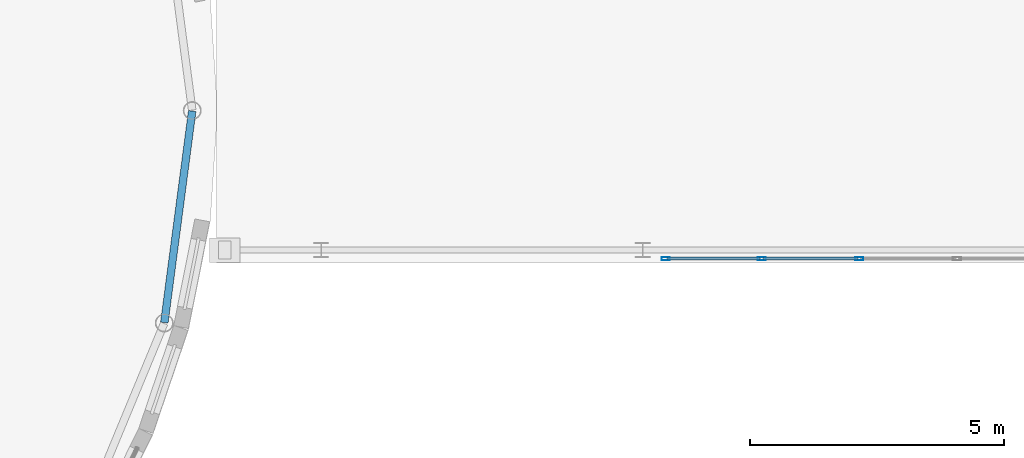
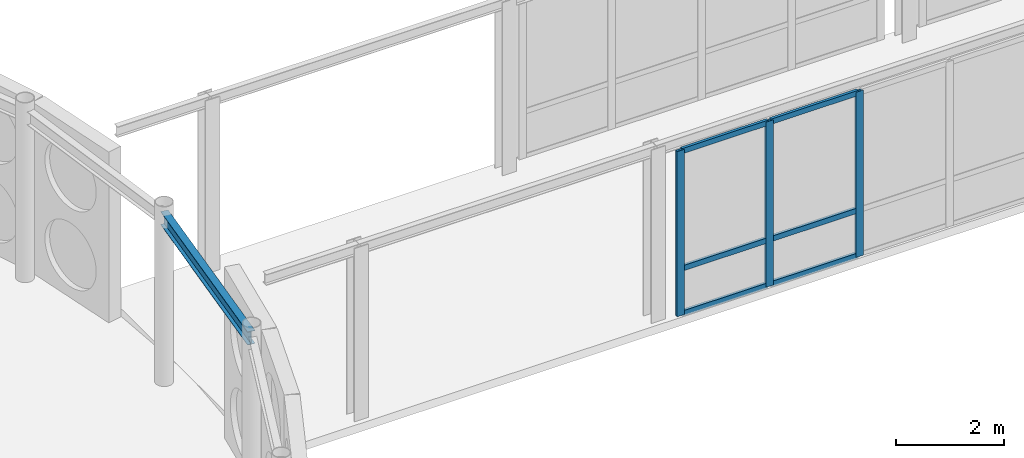
# One storey, part 52 of 165: 9 members, 1 beam, 1 element without a shape of its own.
"""IFC4 building model written with IfcOpenShell, lengths in metres."""

from ifc_helpers import new_model, si_unit, direction, frame, origin, origin_2d, place, context, subcontext, project, spatial, hollow_rectangle, i_section, extrude, material, layer, layer_set, material_profile, profile_set, type_object, element, aggregate, save


model = new_model("IFC4")

# Units and contexts
model_context = context("Model", 3, precision=1e-05, world=origin(), true_north=direction((0.0, 1.0)))
body_context = subcontext(model_context, "Body", "Model", "MODEL_VIEW")
ifc_project = project(units=[si_unit("LENGTHUNIT", "METRE"), si_unit("AREAUNIT", "SQUARE_METRE"), si_unit("VOLUMEUNIT", "CUBIC_METRE"), si_unit("PLANEANGLEUNIT", "RADIAN"), si_unit("MASSUNIT", "GRAM", prefix="KILO")], contexts=[model_context])

# Site, building, storey
site_placement = place(None, origin())
site = spatial("IfcSite", under=ifc_project, at=site_placement, CompositionType="ELEMENT")
building_placement = place(site_placement, origin())
building = spatial("IfcBuilding", under=site, at=building_placement, Name="Montecoro Central Library", CompositionType="ELEMENT")
storey_placement = place(building_placement, frame((0.0, 0.0, 5.10009765625)))
storey = spatial("IfcBuildingStorey", under=building, at=storey_placement, Name="L01", CompositionType="ELEMENT", Elevation=5.10009765625)

# Beam
ifc_material_1 = material(Name="Steel S355", Category="steel")
ifc_material_profile_1 = material_profile(ifc_material_1, i_section(OverallWidth=0.14990234375, OverallDepth=0.300048828125, WebThickness=0.007080078125, FlangeThickness=0.0107421875, at=origin_2d()), Name="IPE 300")
ifc_profile_set_1 = profile_set([ifc_material_profile_1], Name="Steel S355")
beam_type = type_object("IfcBeamType", Name="BM-SP-IPE300", PredefinedType="SPANDREL", material=ifc_profile_set_1)
beam_placement = place(storey_placement, frame((107.22998046875, 31.221923828125, 3.704833984375), z_axis=(0.130607740177, 0.99143412197, 0.0), x_axis=(-0.99143412197, 0.130607740177, 0.0)))
element("IfcBeam", 1, at=beam_placement, inside=storey, type_object=beam_type, Name="V1-L01-RING-24", PredefinedType="SPANDREL", context=body_context, shape_type="SweptSolid", body=[
    extrude(i_section(OverallWidth=0.14990234375, OverallDepth=0.300048828125, WebThickness=0.007080078125, FlangeThickness=0.0107421875, at=origin_2d()), origin(), (0.0, 0.0, 1.0), 4.2041015625),
])

# Curtain wall, members
ifc_material_2 = material(Name="Bronze-anodised aluminium and low-E glazing", Category="aluminium")
ifc_layer = layer(ifc_material_2, 0.159912109375)
ifc_layer_set = layer_set([ifc_layer], Name="Bronze-anodised aluminium and low-E glazing")
curtain_wall_type = type_object("IfcCurtainWallType", Name="CWT-087", PredefinedType="NOTDEFINED", material=ifc_layer_set)
curtain_wall_placement = place(storey_placement, origin())
curtain_wall = element("IfcCurtainWall", 2, at=curtain_wall_placement, inside=storey, type_object=curtain_wall_type, Name="BR-SE-L01-CW-S1", PredefinedType="NOTDEFINED")
ifc_material_3 = material(Name="Bronze-anodised aluminium", Category="aluminium")
ifc_material_profile_2 = material_profile(ifc_material_3, hollow_rectangle(XDim=0.06005859375, YDim=0.159912109375, WallThickness=0.00390625, at=origin_2d()), Name="CWM 160x60x4.0")
ifc_profile_set_2 = profile_set([ifc_material_profile_2], Name="Bronze-anodised aluminium")
member_type_1 = type_object("IfcMemberType", Name="CWM-BRZ-60", PredefinedType="MULLION", material=ifc_profile_set_2)
member_1_placement = place(storey_placement, frame((117.110107421875, 32.47998046875, 0.0), z_axis=(0.0, 0.0, 1.0), x_axis=(0.0, 1.0, 0.0)))
member_1 = element("IfcMember", 3, at=member_1_placement, type_object=member_type_1, Name="CW-087 mullion 1", PredefinedType="MULLION", context=body_context, shape_type="SweptSolid", body=[
    extrude(hollow_rectangle(XDim=0.06005859375, YDim=0.159912109375, WallThickness=0.00390625, at=origin_2d()), origin(), (0.0, 0.0, 1.0), 3.72998046875),
])
member_2_placement = place(storey_placement, frame((119.0048828125, 32.47998046875, 0.0), z_axis=(0.0, 0.0, 1.0), x_axis=(0.0, 1.0, 0.0)))
member_2 = element("IfcMember", 4, at=member_2_placement, type_object=member_type_1, Name="CW-087 mullion 2", PredefinedType="MULLION", context=body_context, shape_type="SweptSolid", body=[
    extrude(hollow_rectangle(XDim=0.06005859375, YDim=0.159912109375, WallThickness=0.00390625, at=origin_2d()), origin(), (0.0, 0.0, 1.0), 3.72998046875),
])
member_3_placement = place(storey_placement, frame((120.929931640625, 32.47998046875, 0.0), z_axis=(0.0, 0.0, 1.0), x_axis=(0.0, 1.0, 0.0)))
member_3 = element("IfcMember", 5, at=member_3_placement, type_object=member_type_1, Name="CW-087 mullion 3", PredefinedType="MULLION", context=body_context, shape_type="SweptSolid", body=[
    extrude(hollow_rectangle(XDim=0.06005859375, YDim=0.159912109375, WallThickness=0.00390625, at=origin_2d()), origin(), (0.0, 0.0, 1.0), 3.72998046875),
])
ifc_material_profile_3 = material_profile(ifc_material_3, hollow_rectangle(XDim=0.06005859375, YDim=0.1201171875, WallThickness=0.00390625, at=origin_2d()), Name="CWT 120x60x4.0")
ifc_profile_set_3 = profile_set([ifc_material_profile_3], Name="Bronze-anodised aluminium")
member_type_2 = type_object("IfcMemberType", Name="CWT-BRZ-60", PredefinedType="USERDEFINED", material=ifc_profile_set_3)
member_4_placement = place(storey_placement, frame((117.139892578125, 32.47998046875, 0.02978515625), z_axis=(1.0, 0.0, 0.0), x_axis=(0.0, 1.0, 0.0)))
member_4 = element("IfcMember", 6, at=member_4_placement, type_object=member_type_2, Name="CW-087 transom 1.1", ObjectType="TRANSOM", PredefinedType="USERDEFINED", context=body_context, shape_type="SweptSolid", body=[
    extrude(hollow_rectangle(XDim=0.06005859375, YDim=0.1201171875, WallThickness=0.00390625, at=origin_2d()), origin(), (0.0, 0.0, 1.0), 1.835205078125),
])
member_5_placement = place(storey_placement, frame((117.139892578125, 32.47998046875, 1.0498046875), z_axis=(1.0, 0.0, 0.0), x_axis=(0.0, 1.0, 0.0)))
member_5 = element("IfcMember", 7, at=member_5_placement, type_object=member_type_2, Name="CW-087 transom 1.2", ObjectType="TRANSOM", PredefinedType="USERDEFINED", context=body_context, shape_type="SweptSolid", body=[
    extrude(hollow_rectangle(XDim=0.06005859375, YDim=0.1201171875, WallThickness=0.00390625, at=origin_2d()), origin(), (0.0, 0.0, 1.0), 1.835205078125),
])
member_6_placement = place(storey_placement, frame((117.139892578125, 32.47998046875, 3.699951171875), z_axis=(1.0, 0.0, 0.0), x_axis=(0.0, 1.0, 0.0)))
member_6 = element("IfcMember", 8, at=member_6_placement, type_object=member_type_2, Name="CW-087 transom 1.3", ObjectType="TRANSOM", PredefinedType="USERDEFINED", context=body_context, shape_type="SweptSolid", body=[
    extrude(hollow_rectangle(XDim=0.06005859375, YDim=0.1201171875, WallThickness=0.00390625, at=origin_2d()), origin(), (0.0, 0.0, 1.0), 1.835205078125),
])
member_7_placement = place(storey_placement, frame((119.034912109375, 32.47998046875, 0.02978515625), z_axis=(1.0, 0.0, 0.0), x_axis=(0.0, 1.0, 0.0)))
member_7 = element("IfcMember", 9, at=member_7_placement, type_object=member_type_2, Name="CW-087 transom 2.1", ObjectType="TRANSOM", PredefinedType="USERDEFINED", context=body_context, shape_type="SweptSolid", body=[
    extrude(hollow_rectangle(XDim=0.06005859375, YDim=0.1201171875, WallThickness=0.00390625, at=origin_2d()), origin(), (0.0, 0.0, 1.0), 1.864990234375),
])
member_8_placement = place(storey_placement, frame((119.034912109375, 32.47998046875, 1.0498046875), z_axis=(1.0, 0.0, 0.0), x_axis=(0.0, 1.0, 0.0)))
member_8 = element("IfcMember", 10, at=member_8_placement, type_object=member_type_2, Name="CW-087 transom 2.2", ObjectType="TRANSOM", PredefinedType="USERDEFINED", context=body_context, shape_type="SweptSolid", body=[
    extrude(hollow_rectangle(XDim=0.06005859375, YDim=0.1201171875, WallThickness=0.00390625, at=origin_2d()), origin(), (0.0, 0.0, 1.0), 1.864990234375),
])
member_9_placement = place(storey_placement, frame((119.034912109375, 32.47998046875, 3.699951171875), z_axis=(1.0, 0.0, 0.0), x_axis=(0.0, 1.0, 0.0)))
member_9 = element("IfcMember", 11, at=member_9_placement, type_object=member_type_2, Name="CW-087 transom 2.3", ObjectType="TRANSOM", PredefinedType="USERDEFINED", context=body_context, shape_type="SweptSolid", body=[
    extrude(hollow_rectangle(XDim=0.06005859375, YDim=0.1201171875, WallThickness=0.00390625, at=origin_2d()), origin(), (0.0, 0.0, 1.0), 1.864990234375),
])
aggregate(curtain_wall, [member_1, member_2, member_3, member_4, member_5, member_6, member_7, member_8, member_9])

save(model, "model.ifc")
